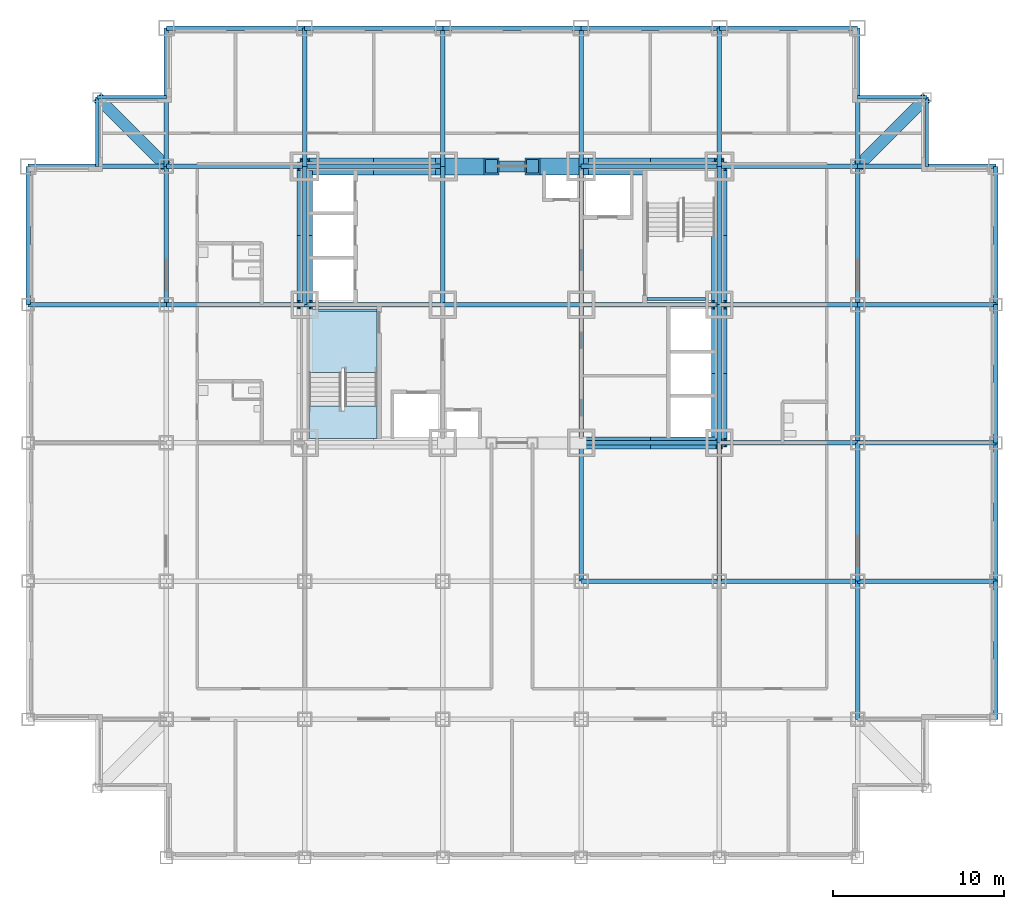
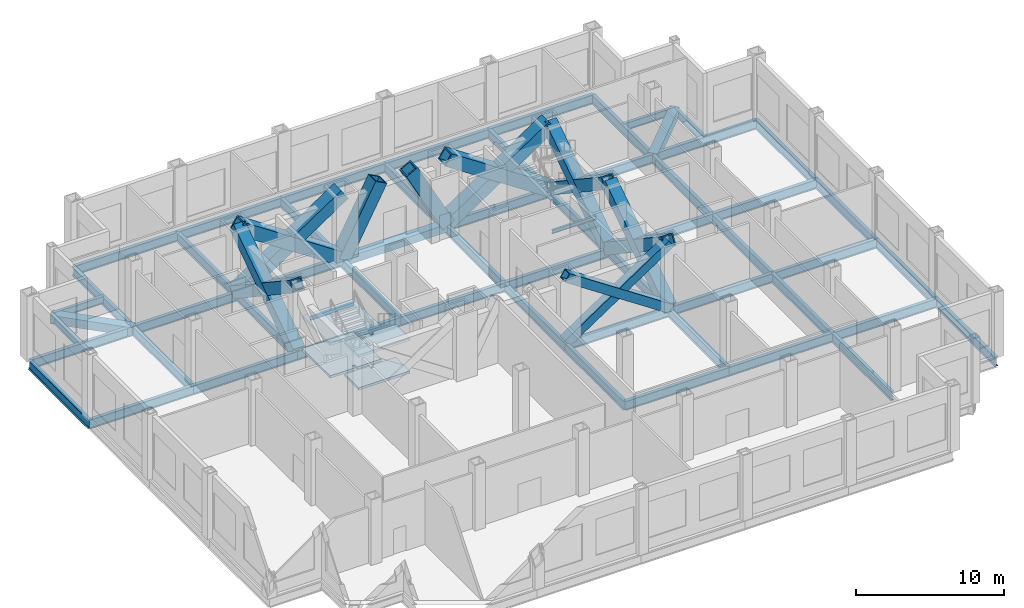
# One storey, part 2 of 10: 57 beams, 14 members, 4 slabs, 1 element without a shape of its own.
"""IFC4 building model written with IfcOpenShell, lengths in metres."""

from ifc_helpers import new_model, si_unit, direction, frame, origin, origin_2d, place, context, subcontext, project, spatial, polyline, hollow_rectangle, i_section, outline, extrude, material, layer, layer_set, material_profile, profile_set, type_object, element, aggregate, save


model = new_model("IFC4")

# Units and contexts
model_context = context("Model", 3, precision=1e-05, world=origin(), true_north=direction((0.0, 1.0)))
body_context = subcontext(model_context, "Body", "Model", "MODEL_VIEW")
ifc_project = project(units=[si_unit("LENGTHUNIT", "METRE"), si_unit("AREAUNIT", "SQUARE_METRE"), si_unit("VOLUMEUNIT", "CUBIC_METRE"), si_unit("PLANEANGLEUNIT", "RADIAN"), si_unit("MASSUNIT", "GRAM", prefix="KILO")], contexts=[model_context])

# Site, building, storey
site_placement = place(None, origin())
site = spatial("IfcSite", under=ifc_project, at=site_placement, CompositionType="ELEMENT")
building_placement = place(site_placement, origin())
building = spatial("IfcBuilding", under=site, at=building_placement, Name="Kopane Lantern Tower", CompositionType="ELEMENT")
storey_placement = place(building_placement, frame((0.0, 0.0, 27.60009765625)))
storey = spatial("IfcBuildingStorey", under=building, at=storey_placement, Name="L05", CompositionType="ELEMENT", Elevation=27.60009765625)

# Members
ifc_material_1 = material(Name="Steel S355JR", Category="steel")
ifc_material_profile_1 = material_profile(ifc_material_1, hollow_rectangle(XDim=1.0, YDim=1.0, WallThickness=0.10009765625, at=origin_2d()), Name="BOX 1000x1000x100")
ifc_profile_set_1 = profile_set([ifc_material_profile_1], Name="Steel S355JR")
member_type_1 = type_object("IfcMemberType", Name="BRACE BOX 1000x1000x100", PredefinedType="BRACE", material=ifc_profile_set_1)
for number, where, z_axis, x_axis, name in (
    (1, (16.199951171875, 40.5, -0.210205078125), (0.832046436124, 0.0, 0.554705983502), (0.0, 1.0, 0.0), "Core brace L05"),
    (2, (24.300048828125, 40.5, -0.210205078125), (-0.832046436124, 0.0, 0.554705983502), (0.0, -1.0, 0.0), "Core brace L05"),
):
    element("IfcMember", number, at=place(storey_placement, frame(where, z_axis=z_axis, x_axis=x_axis)), inside=storey, type_object=member_type_1, Name=name, PredefinedType="BRACE", context=body_context, shape_type="SweptSolid", body=[
        extrude(hollow_rectangle(XDim=1.0, YDim=1.0, WallThickness=0.10009765625, at=origin_2d()), origin(), (0.0, 0.0, 1.0), 9.735107421875),
    ])
for number, where, z_axis, x_axis, name in (
    (3, (24.300048828125, 40.5, -0.210205078125), (0.466729952651, 0.0, 0.884399882009), (0.0, 1.0, 0.0), "Core brace L05"),
    (4, (32.39990234375, 40.5, -0.210205078125), (-0.466729952651, 0.0, 0.884399882009), (0.0, -1.0, 0.0), "Core brace L05"),
):
    element("IfcMember", number, at=place(storey_placement, frame(where, z_axis=z_axis, x_axis=x_axis)), inside=storey, type_object=member_type_1, Name=name, PredefinedType="BRACE", context=body_context, shape_type="SweptSolid", body=[
        extrude(hollow_rectangle(XDim=1.0, YDim=1.0, WallThickness=0.10009765625, at=origin_2d()), origin(), (0.0, 0.0, 1.0), 6.10595703125),
    ])
for number, where, z_axis, x_axis, name in (
    (5, (32.39990234375, 40.5, -0.210205078125), (0.832046436124, 0.0, 0.554705983502), (0.0, 1.0, 0.0), "Core brace L05"),
    (6, (40.5, 40.5, -0.210205078125), (-0.832046436124, 0.0, 0.554705983502), (0.0, -1.0, 0.0), "Core brace L05"),
):
    element("IfcMember", number, at=place(storey_placement, frame(where, z_axis=z_axis, x_axis=x_axis)), inside=storey, type_object=member_type_1, Name=name, PredefinedType="BRACE", context=body_context, shape_type="SweptSolid", body=[
        extrude(hollow_rectangle(XDim=1.0, YDim=1.0, WallThickness=0.10009765625, at=origin_2d()), origin(), (0.0, 0.0, 1.0), 9.735107421875),
    ])
ifc_material_2 = material(Name="Steel S355JR", Category="steel")
ifc_material_profile_2 = material_profile(ifc_material_2, hollow_rectangle(XDim=0.699951171875, YDim=0.699951171875, WallThickness=0.06005859375, at=origin_2d()), Name="BOX 700x700x60")
ifc_profile_set_2 = profile_set([ifc_material_profile_2], Name="Steel S355JR")
member_type_2 = type_object("IfcMemberType", Name="BRACE BOX 700x700x60", PredefinedType="BRACE", material=ifc_profile_set_2)
for number, where, z_axis, x_axis, name in (
    (7, (32.39990234375, 24.300048828125, -0.210205078125), (0.832046436124, 0.0, 0.554705983502), (0.0, 1.0, 0.0), "Core brace L05"),
    (8, (40.5, 24.300048828125, -0.210205078125), (-0.832046436124, 0.0, 0.554705983502), (0.0, -1.0, 0.0), "Core brace L05"),
):
    element("IfcMember", number, at=place(storey_placement, frame(where, z_axis=z_axis, x_axis=x_axis)), inside=storey, type_object=member_type_2, Name=name, PredefinedType="BRACE", context=body_context, shape_type="SweptSolid", body=[
        extrude(hollow_rectangle(XDim=0.699951171875, YDim=0.699951171875, WallThickness=0.06005859375, at=origin_2d()), origin(), (0.0, 0.0, 1.0), 9.735107421875),
    ])
ifc_material_3 = material(Name="Steel S355JR", Category="steel")
ifc_material_profile_3 = material_profile(ifc_material_3, hollow_rectangle(XDim=0.89990234375, YDim=0.89990234375, WallThickness=0.090087890625, at=origin_2d()), Name="BOX 900x900x90")
ifc_profile_set_3 = profile_set([ifc_material_profile_3], Name="Steel S355JR")
member_type_3 = type_object("IfcMemberType", Name="BRACE BOX 900x900x90", PredefinedType="BRACE", material=ifc_profile_set_3)
for number, where, z_axis, x_axis, name in (
    (9, (16.199951171875, 32.39990234375, -0.210205078125), (0.0, 0.832046436124, 0.554705983502), (-1.0, 0.0, 0.0), "Core brace L05"),
    (10, (16.199951171875, 40.5, -0.210205078125), (0.0, -0.832046436124, 0.554705983502), (1.0, 0.0, 0.0), "Core brace L05"),
):
    element("IfcMember", number, at=place(storey_placement, frame(where, z_axis=z_axis, x_axis=x_axis)), inside=storey, type_object=member_type_3, Name=name, PredefinedType="BRACE", context=body_context, shape_type="SweptSolid", body=[
        extrude(hollow_rectangle(XDim=0.89990234375, YDim=0.89990234375, WallThickness=0.090087890625, at=origin_2d()), origin(), (0.0, 0.0, 1.0), 9.735107421875),
    ])
for number, where, z_axis, x_axis, name in (
    (11, (40.5, 24.300048828125, -0.210205078125), (0.0, 0.832038719335, 0.554717558338), (-1.0, 0.0, 0.0), "Core brace L05"),
    (12, (40.5, 32.39990234375, -0.210205078125), (0.0, -0.832038719335, 0.554717558338), (1.0, 0.0, 0.0), "Core brace L05"),
):
    element("IfcMember", number, at=place(storey_placement, frame(where, z_axis=z_axis, x_axis=x_axis)), inside=storey, type_object=member_type_3, Name=name, PredefinedType="BRACE", context=body_context, shape_type="SweptSolid", body=[
        extrude(hollow_rectangle(XDim=0.89990234375, YDim=0.89990234375, WallThickness=0.090087890625, at=origin_2d()), origin(), (0.0, 0.0, 1.0), 9.73486328125),
    ])
for number, where, z_axis, x_axis, name in (
    (13, (40.5, 32.39990234375, -0.210205078125), (0.0, 0.832046436124, 0.554705983502), (-1.0, 0.0, 0.0), "Core brace L05"),
    (14, (40.5, 40.5, -0.210205078125), (0.0, -0.832046436124, 0.554705983502), (1.0, 0.0, 0.0), "Core brace L05"),
):
    element("IfcMember", number, at=place(storey_placement, frame(where, z_axis=z_axis, x_axis=x_axis)), inside=storey, type_object=member_type_3, Name=name, PredefinedType="BRACE", context=body_context, shape_type="SweptSolid", body=[
        extrude(hollow_rectangle(XDim=0.89990234375, YDim=0.89990234375, WallThickness=0.090087890625, at=origin_2d()), origin(), (0.0, 0.0, 1.0), 9.735107421875),
    ])

# Beams
ifc_material_4 = material(Name="Steel S355JR", Category="steel")
ifc_material_profile_4 = material_profile(ifc_material_4, i_section(OverallWidth=0.2666015625, OverallDepth=0.76220703125, WebThickness=0.014404296875, FlangeThickness=0.021484375, FilletRadius=0.0166015625, at=origin_2d()), Name="UB 762x267x173")
ifc_profile_set_4 = profile_set([ifc_material_profile_4], Name="Steel S355JR")
beam_type_1 = type_object("IfcBeamType", Name="CORE BEAM UB 762x267x173", PredefinedType="BEAM", material=ifc_profile_set_4)
for number, where, z_axis, x_axis, name in (
    (15, (16.199951171875, 32.39990234375, -0.59130859375), (1.0, 0.0, 0.0), (0.0, 1.0, 0.0), "Core Beam L05"),
    (16, (24.300048828125, 32.39990234375, -0.59130859375), (0.0, 1.0, 0.0), (-1.0, 0.0, 0.0), "Core Beam L05"),
):
    element("IfcBeam", number, at=place(storey_placement, frame(where, z_axis=z_axis, x_axis=x_axis)), inside=storey, type_object=beam_type_1, Name=name, PredefinedType="BEAM", context=body_context, shape_type="SweptSolid", body=[
        extrude(i_section(OverallWidth=0.2666015625, OverallDepth=0.76220703125, WebThickness=0.014404296875, FlangeThickness=0.021484375, FilletRadius=0.0166015625, at=origin_2d()), origin(), (0.0, 0.0, 1.0), 8.10009765625),
    ])
for number, where, z_axis, x_axis, name in (
    (17, (24.300048828125, 32.39990234375, -0.59130859375), (1.0, 0.0, 0.0), (0.0, 1.0, 0.0), "Core Beam L05"),
    (18, (32.39990234375, 24.300048828125, -0.59130859375), (0.0, 1.0, 0.0), (-1.0, 0.0, 0.0), "Core Beam L05"),
):
    element("IfcBeam", number, at=place(storey_placement, frame(where, z_axis=z_axis, x_axis=x_axis)), inside=storey, type_object=beam_type_1, Name=name, PredefinedType="BEAM", context=body_context, shape_type="SweptSolid", body=[
        extrude(i_section(OverallWidth=0.2666015625, OverallDepth=0.76220703125, WebThickness=0.014404296875, FlangeThickness=0.021484375, FilletRadius=0.0166015625, at=origin_2d()), origin(), (0.0, 0.0, 1.0), 8.099853515625),
    ])
for number, where, z_axis, x_axis, name in (
    (19, (32.39990234375, 32.39990234375, -0.59130859375), (0.0, 1.0, 0.0), (-1.0, 0.0, 0.0), "Core Beam L05"),
    (20, (32.39990234375, 32.39990234375, -0.59130859375), (1.0, 0.0, 0.0), (0.0, 1.0, 0.0), "Core Beam L05"),
):
    element("IfcBeam", number, at=place(storey_placement, frame(where, z_axis=z_axis, x_axis=x_axis)), inside=storey, type_object=beam_type_1, Name=name, PredefinedType="BEAM", context=body_context, shape_type="SweptSolid", body=[
        extrude(i_section(OverallWidth=0.2666015625, OverallDepth=0.76220703125, WebThickness=0.014404296875, FlangeThickness=0.021484375, FilletRadius=0.0166015625, at=origin_2d()), origin(), (0.0, 0.0, 1.0), 8.10009765625),
    ])
ifc_material_5 = material(Name="Steel S355JR", Category="steel")
ifc_material_profile_5 = material_profile(ifc_material_5, hollow_rectangle(XDim=0.699951171875, YDim=0.699951171875, WallThickness=0.06005859375, at=origin_2d()), Name="BOX 700x700x60")
ifc_profile_set_5 = profile_set([ifc_material_profile_5], Name="Steel S355JR")
beam_type_2 = type_object("IfcBeamType", Name="CORNER TIE BEAM BOX 700x700x60", PredefinedType="BEAM", material=ifc_profile_set_5)
for number, where, z_axis, x_axis, name in (
    (21, (4.050048828125, 44.550048828125, -0.56005859375), (0.707106781187, -0.707106781187, 0.0), (0.707106781187, 0.707106781187, 0.0), "Corner Tie Beam L05"),
    (22, (52.64990234375, 44.550048828125, -0.56005859375), (-0.707085467703, -0.707128094028, 0.0), (0.707128094028, -0.707085467703, 0.0), "Corner Tie Beam L05"),
):
    element("IfcBeam", number, at=place(storey_placement, frame(where, z_axis=z_axis, x_axis=x_axis)), inside=storey, type_object=beam_type_2, Name=name, PredefinedType="BEAM", context=body_context, shape_type="SweptSolid", body=[
        extrude(hollow_rectangle(XDim=0.699951171875, YDim=0.699951171875, WallThickness=0.06005859375, at=origin_2d()), origin(), (0.0, 0.0, 1.0), 5.7275390625),
    ])
ifc_material_6 = material(Name="Steel S355JR", Category="steel")
ifc_material_profile_6 = material_profile(ifc_material_6, i_section(OverallWidth=0.22900390625, OverallDepth=0.6123046875, WebThickness=0.011962890625, FlangeThickness=0.01953125, FilletRadius=0.0126953125, at=origin_2d()), Name="UB 610x229x125")
ifc_profile_set_6 = profile_set([ifc_material_profile_6], Name="Steel S355JR")
beam_type_3 = type_object("IfcBeamType", Name="EDGE BEAM UB 610x229x125", PredefinedType="BEAM", material=ifc_profile_set_6)
for number, where, z_axis, x_axis, name in (
    (23, (4.050048828125, 44.550048828125, -0.51611328125), (0.0, -1.0, 0.0), (1.0, 0.0, 0.0), "Edge Beam L05"),
    (24, (4.050048828125, 44.550048828125, -0.51611328125), (1.0, 0.0, 0.0), (0.0, 1.0, 0.0), "Edge Beam L05"),
):
    element("IfcBeam", number, at=place(storey_placement, frame(where, z_axis=z_axis, x_axis=x_axis)), inside=storey, type_object=beam_type_3, Name=name, PredefinedType="BEAM", context=body_context, shape_type="SweptSolid", body=[
        extrude(i_section(OverallWidth=0.22900390625, OverallDepth=0.6123046875, WebThickness=0.011962890625, FlangeThickness=0.01953125, FilletRadius=0.0126953125, at=origin_2d()), origin(), (0.0, 0.0, 1.0), 4.050048828125),
    ])
beam_1_placement = place(storey_placement, frame((52.64990234375, 44.550048828125, -0.51611328125), z_axis=(-1.0, 0.0, 0.0), x_axis=(0.0, -1.0, 0.0)))
element("IfcBeam", 25, at=beam_1_placement, inside=storey, type_object=beam_type_3, Name="Edge Beam L05", PredefinedType="BEAM", context=body_context, shape_type="SweptSolid", body=[
    extrude(i_section(OverallWidth=0.22900390625, OverallDepth=0.6123046875, WebThickness=0.011962890625, FlangeThickness=0.01953125, FilletRadius=0.0126953125, at=origin_2d()), origin(), (0.0, 0.0, 1.0), 4.0498046875),
])
beam_2_placement = place(storey_placement, frame((52.64990234375, 44.550048828125, -0.51611328125), z_axis=(0.0, -1.0, 0.0), x_axis=(1.0, 0.0, 0.0)))
element("IfcBeam", 26, at=beam_2_placement, inside=storey, type_object=beam_type_3, Name="Edge Beam L05", PredefinedType="BEAM", context=body_context, shape_type="SweptSolid", body=[
    extrude(i_section(OverallWidth=0.22900390625, OverallDepth=0.6123046875, WebThickness=0.011962890625, FlangeThickness=0.01953125, FilletRadius=0.0126953125, at=origin_2d()), origin(), (0.0, 0.0, 1.0), 4.050048828125),
])
ifc_material_7 = material(Name="Steel S355JR", Category="steel")
ifc_material_profile_7 = material_profile(ifc_material_7, i_section(OverallWidth=0.2666015625, OverallDepth=0.76220703125, WebThickness=0.014404296875, FlangeThickness=0.021484375, FilletRadius=0.0166015625, at=origin_2d()), Name="UB 762x267x173")
ifc_profile_set_7 = profile_set([ifc_material_profile_7], Name="Steel S355JR")
beam_type_4 = type_object("IfcBeamType", Name="GIRDER UB 762x267x173", PredefinedType="BEAM", material=ifc_profile_set_7)
for number, where, z_axis, x_axis, name in (
    (27, (0.0, 32.39990234375, -0.59130859375), (0.0, 1.0, 0.0), (-1.0, 0.0, 0.0), "Girder L05"),
    (28, (0.0, 32.39990234375, -0.59130859375), (1.0, 0.0, 0.0), (0.0, 1.0, 0.0), "Girder L05"),
    (29, (0.0, 40.5, -0.59130859375), (1.0, 0.0, 0.0), (0.0, 1.0, 0.0), "Girder L05"),
    (30, (8.10009765625, 32.39990234375, -0.59130859375), (0.0, 1.0, 0.0), (-1.0, 0.0, 0.0), "Girder L05"),
):
    element("IfcBeam", number, at=place(storey_placement, frame(where, z_axis=z_axis, x_axis=x_axis)), inside=storey, type_object=beam_type_4, Name=name, PredefinedType="BEAM", context=body_context, shape_type="SweptSolid", body=[
        extrude(i_section(OverallWidth=0.2666015625, OverallDepth=0.76220703125, WebThickness=0.014404296875, FlangeThickness=0.021484375, FilletRadius=0.0166015625, at=origin_2d()), origin(), (0.0, 0.0, 1.0), 8.10009765625),
    ])
beam_3_placement = place(storey_placement, frame((8.10009765625, 32.39990234375, -0.59130859375), z_axis=(1.0, 0.0, 0.0), x_axis=(0.0, 1.0, 0.0)))
element("IfcBeam", 31, at=beam_3_placement, inside=storey, type_object=beam_type_4, Name="Girder L05", PredefinedType="BEAM", context=body_context, shape_type="SweptSolid", body=[
    extrude(i_section(OverallWidth=0.2666015625, OverallDepth=0.76220703125, WebThickness=0.014404296875, FlangeThickness=0.021484375, FilletRadius=0.0166015625, at=origin_2d()), origin(), (0.0, 0.0, 1.0), 8.099853515625),
])
beam_4_placement = place(storey_placement, frame((8.10009765625, 40.5, -0.59130859375), z_axis=(0.0, 1.0, 0.0), x_axis=(-1.0, 0.0, 0.0)))
element("IfcBeam", 32, at=beam_4_placement, inside=storey, type_object=beam_type_4, Name="Girder L05", PredefinedType="BEAM", context=body_context, shape_type="SweptSolid", body=[
    extrude(i_section(OverallWidth=0.2666015625, OverallDepth=0.76220703125, WebThickness=0.014404296875, FlangeThickness=0.021484375, FilletRadius=0.0166015625, at=origin_2d()), origin(), (0.0, 0.0, 1.0), 8.10009765625),
])
for number, where, z_axis, x_axis, name in (
    (33, (8.10009765625, 40.5, -0.59130859375), (1.0, 0.0, 0.0), (0.0, 1.0, 0.0), "Girder L05"),
    (34, (8.10009765625, 48.60009765625, -0.59130859375), (1.0, 0.0, 0.0), (0.0, 1.0, 0.0), "Girder L05"),
):
    element("IfcBeam", number, at=place(storey_placement, frame(where, z_axis=z_axis, x_axis=x_axis)), inside=storey, type_object=beam_type_4, Name=name, PredefinedType="BEAM", context=body_context, shape_type="SweptSolid", body=[
        extrude(i_section(OverallWidth=0.2666015625, OverallDepth=0.76220703125, WebThickness=0.014404296875, FlangeThickness=0.021484375, FilletRadius=0.0166015625, at=origin_2d()), origin(), (0.0, 0.0, 1.0), 8.099853515625),
    ])
for number, where, z_axis, x_axis, name in (
    (35, (16.199951171875, 32.39990234375, -0.59130859375), (0.0, 1.0, 0.0), (-1.0, 0.0, 0.0), "Girder L05"),
    (36, (16.199951171875, 40.5, -0.59130859375), (0.0, 1.0, 0.0), (-1.0, 0.0, 0.0), "Girder L05"),
    (37, (16.199951171875, 40.5, -0.59130859375), (1.0, 0.0, 0.0), (0.0, 1.0, 0.0), "Girder L05"),
    (38, (16.199951171875, 48.60009765625, -0.59130859375), (1.0, 0.0, 0.0), (0.0, 1.0, 0.0), "Girder L05"),
    (39, (24.300048828125, 40.5, -0.59130859375), (0.0, 1.0, 0.0), (-1.0, 0.0, 0.0), "Girder L05"),
):
    element("IfcBeam", number, at=place(storey_placement, frame(where, z_axis=z_axis, x_axis=x_axis)), inside=storey, type_object=beam_type_4, Name=name, PredefinedType="BEAM", context=body_context, shape_type="SweptSolid", body=[
        extrude(i_section(OverallWidth=0.2666015625, OverallDepth=0.76220703125, WebThickness=0.014404296875, FlangeThickness=0.021484375, FilletRadius=0.0166015625, at=origin_2d()), origin(), (0.0, 0.0, 1.0), 8.10009765625),
    ])
beam_5_placement = place(storey_placement, frame((24.300048828125, 48.60009765625, -0.59130859375), z_axis=(1.0, 0.0, 0.0), x_axis=(0.0, 1.0, 0.0)))
element("IfcBeam", 40, at=beam_5_placement, inside=storey, type_object=beam_type_4, Name="Girder L05", PredefinedType="BEAM", context=body_context, shape_type="SweptSolid", body=[
    extrude(i_section(OverallWidth=0.2666015625, OverallDepth=0.76220703125, WebThickness=0.014404296875, FlangeThickness=0.021484375, FilletRadius=0.0166015625, at=origin_2d()), origin(), (0.0, 0.0, 1.0), 8.099853515625),
])
for number, where, z_axis, x_axis, name in (
    (41, (32.39990234375, 16.199951171875, -0.59130859375), (0.0, 1.0, 0.0), (-1.0, 0.0, 0.0), "Girder L05"),
    (42, (32.39990234375, 16.199951171875, -0.59130859375), (1.0, 0.0, 0.0), (0.0, 1.0, 0.0), "Girder L05"),
    (43, (32.39990234375, 24.300048828125, -0.59130859375), (1.0, 0.0, 0.0), (0.0, 1.0, 0.0), "Girder L05"),
    (44, (32.39990234375, 40.5, -0.59130859375), (0.0, 1.0, 0.0), (-1.0, 0.0, 0.0), "Girder L05"),
    (45, (32.39990234375, 40.5, -0.59130859375), (1.0, 0.0, 0.0), (0.0, 1.0, 0.0), "Girder L05"),
    (46, (32.39990234375, 48.60009765625, -0.59130859375), (1.0, 0.0, 0.0), (0.0, 1.0, 0.0), "Girder L05"),
    (47, (40.5, 16.199951171875, -0.59130859375), (0.0, 1.0, 0.0), (-1.0, 0.0, 0.0), "Girder L05"),
    (48, (40.5, 16.199951171875, -0.59130859375), (1.0, 0.0, 0.0), (0.0, 1.0, 0.0), "Girder L05"),
):
    element("IfcBeam", number, at=place(storey_placement, frame(where, z_axis=z_axis, x_axis=x_axis)), inside=storey, type_object=beam_type_4, Name=name, PredefinedType="BEAM", context=body_context, shape_type="SweptSolid", body=[
        extrude(i_section(OverallWidth=0.2666015625, OverallDepth=0.76220703125, WebThickness=0.014404296875, FlangeThickness=0.021484375, FilletRadius=0.0166015625, at=origin_2d()), origin(), (0.0, 0.0, 1.0), 8.10009765625),
    ])
beam_6_placement = place(storey_placement, frame((40.5, 24.300048828125, -0.59130859375), z_axis=(0.0, 1.0, 0.0), x_axis=(-1.0, 0.0, 0.0)))
element("IfcBeam", 49, at=beam_6_placement, inside=storey, type_object=beam_type_4, Name="Girder L05", PredefinedType="BEAM", context=body_context, shape_type="SweptSolid", body=[
    extrude(i_section(OverallWidth=0.2666015625, OverallDepth=0.76220703125, WebThickness=0.014404296875, FlangeThickness=0.021484375, FilletRadius=0.0166015625, at=origin_2d()), origin(), (0.0, 0.0, 1.0), 8.099853515625),
])
for number, where, z_axis, x_axis, name in (
    (50, (40.5, 24.300048828125, -0.59130859375), (1.0, 0.0, 0.0), (0.0, 1.0, 0.0), "Girder L05"),
    (51, (40.5, 32.39990234375, -0.59130859375), (0.0, 1.0, 0.0), (-1.0, 0.0, 0.0), "Girder L05"),
    (52, (40.5, 32.39990234375, -0.59130859375), (1.0, 0.0, 0.0), (0.0, 1.0, 0.0), "Girder L05"),
    (53, (40.5, 40.5, -0.59130859375), (0.0, 1.0, 0.0), (-1.0, 0.0, 0.0), "Girder L05"),
    (54, (40.5, 40.5, -0.59130859375), (1.0, 0.0, 0.0), (0.0, 1.0, 0.0), "Girder L05"),
    (55, (40.5, 48.60009765625, -0.59130859375), (1.0, 0.0, 0.0), (0.0, 1.0, 0.0), "Girder L05"),
):
    element("IfcBeam", number, at=place(storey_placement, frame(where, z_axis=z_axis, x_axis=x_axis)), inside=storey, type_object=beam_type_4, Name=name, PredefinedType="BEAM", context=body_context, shape_type="SweptSolid", body=[
        extrude(i_section(OverallWidth=0.2666015625, OverallDepth=0.76220703125, WebThickness=0.014404296875, FlangeThickness=0.021484375, FilletRadius=0.0166015625, at=origin_2d()), origin(), (0.0, 0.0, 1.0), 8.10009765625),
    ])
beam_7_placement = place(storey_placement, frame((48.60009765625, 8.10009765625, -0.59130859375), z_axis=(0.0, 1.0, 0.0), x_axis=(-1.0, 0.0, 0.0)))
element("IfcBeam", 56, at=beam_7_placement, inside=storey, type_object=beam_type_4, Name="Girder L05", PredefinedType="BEAM", context=body_context, shape_type="SweptSolid", body=[
    extrude(i_section(OverallWidth=0.2666015625, OverallDepth=0.76220703125, WebThickness=0.014404296875, FlangeThickness=0.021484375, FilletRadius=0.0166015625, at=origin_2d()), origin(), (0.0, 0.0, 1.0), 8.099853515625),
])
beam_8_placement = place(storey_placement, frame((48.60009765625, 16.199951171875, -0.59130859375), z_axis=(0.0, 1.0, 0.0), x_axis=(-1.0, 0.0, 0.0)))
element("IfcBeam", 57, at=beam_8_placement, inside=storey, type_object=beam_type_4, Name="Girder L05", PredefinedType="BEAM", context=body_context, shape_type="SweptSolid", body=[
    extrude(i_section(OverallWidth=0.2666015625, OverallDepth=0.76220703125, WebThickness=0.014404296875, FlangeThickness=0.021484375, FilletRadius=0.0166015625, at=origin_2d()), origin(), (0.0, 0.0, 1.0), 8.10009765625),
])
for number, where, z_axis, x_axis, name in (
    (58, (48.60009765625, 16.199951171875, -0.59130859375), (1.0, 0.0, 0.0), (0.0, 1.0, 0.0), "Girder L05"),
    (59, (48.60009765625, 24.300048828125, -0.59130859375), (0.0, 1.0, 0.0), (-1.0, 0.0, 0.0), "Girder L05"),
    (60, (48.60009765625, 24.300048828125, -0.59130859375), (1.0, 0.0, 0.0), (0.0, 1.0, 0.0), "Girder L05"),
):
    element("IfcBeam", number, at=place(storey_placement, frame(where, z_axis=z_axis, x_axis=x_axis)), inside=storey, type_object=beam_type_4, Name=name, PredefinedType="BEAM", context=body_context, shape_type="SweptSolid", body=[
        extrude(i_section(OverallWidth=0.2666015625, OverallDepth=0.76220703125, WebThickness=0.014404296875, FlangeThickness=0.021484375, FilletRadius=0.0166015625, at=origin_2d()), origin(), (0.0, 0.0, 1.0), 8.099853515625),
    ])
beam_9_placement = place(storey_placement, frame((48.60009765625, 32.39990234375, -0.59130859375), z_axis=(0.0, 1.0, 0.0), x_axis=(-1.0, 0.0, 0.0)))
element("IfcBeam", 61, at=beam_9_placement, inside=storey, type_object=beam_type_4, Name="Girder L05", PredefinedType="BEAM", context=body_context, shape_type="SweptSolid", body=[
    extrude(i_section(OverallWidth=0.2666015625, OverallDepth=0.76220703125, WebThickness=0.014404296875, FlangeThickness=0.021484375, FilletRadius=0.0166015625, at=origin_2d()), origin(), (0.0, 0.0, 1.0), 8.10009765625),
])
beam_10_placement = place(storey_placement, frame((48.60009765625, 32.39990234375, -0.59130859375), z_axis=(1.0, 0.0, 0.0), x_axis=(0.0, 1.0, 0.0)))
element("IfcBeam", 62, at=beam_10_placement, inside=storey, type_object=beam_type_4, Name="Girder L05", PredefinedType="BEAM", context=body_context, shape_type="SweptSolid", body=[
    extrude(i_section(OverallWidth=0.2666015625, OverallDepth=0.76220703125, WebThickness=0.014404296875, FlangeThickness=0.021484375, FilletRadius=0.0166015625, at=origin_2d()), origin(), (0.0, 0.0, 1.0), 8.099853515625),
])
beam_11_placement = place(storey_placement, frame((48.60009765625, 40.5, -0.59130859375), z_axis=(0.0, 1.0, 0.0), x_axis=(-1.0, 0.0, 0.0)))
element("IfcBeam", 63, at=beam_11_placement, inside=storey, type_object=beam_type_4, Name="Girder L05", PredefinedType="BEAM", context=body_context, shape_type="SweptSolid", body=[
    extrude(i_section(OverallWidth=0.2666015625, OverallDepth=0.76220703125, WebThickness=0.014404296875, FlangeThickness=0.021484375, FilletRadius=0.0166015625, at=origin_2d()), origin(), (0.0, 0.0, 1.0), 8.10009765625),
])
for number, where, z_axis, x_axis, name in (
    (64, (48.60009765625, 40.5, -0.59130859375), (1.0, 0.0, 0.0), (0.0, 1.0, 0.0), "Girder L05"),
    (65, (56.699951171875, 8.10009765625, -0.59130859375), (0.0, 1.0, 0.0), (-1.0, 0.0, 0.0), "Girder L05"),
):
    element("IfcBeam", number, at=place(storey_placement, frame(where, z_axis=z_axis, x_axis=x_axis)), inside=storey, type_object=beam_type_4, Name=name, PredefinedType="BEAM", context=body_context, shape_type="SweptSolid", body=[
        extrude(i_section(OverallWidth=0.2666015625, OverallDepth=0.76220703125, WebThickness=0.014404296875, FlangeThickness=0.021484375, FilletRadius=0.0166015625, at=origin_2d()), origin(), (0.0, 0.0, 1.0), 8.099853515625),
    ])
beam_12_placement = place(storey_placement, frame((56.699951171875, 16.199951171875, -0.59130859375), z_axis=(0.0, 1.0, 0.0), x_axis=(-1.0, 0.0, 0.0)))
element("IfcBeam", 66, at=beam_12_placement, inside=storey, type_object=beam_type_4, Name="Girder L05", PredefinedType="BEAM", context=body_context, shape_type="SweptSolid", body=[
    extrude(i_section(OverallWidth=0.2666015625, OverallDepth=0.76220703125, WebThickness=0.014404296875, FlangeThickness=0.021484375, FilletRadius=0.0166015625, at=origin_2d()), origin(), (0.0, 0.0, 1.0), 8.10009765625),
])
beam_13_placement = place(storey_placement, frame((56.699951171875, 24.300048828125, -0.59130859375), z_axis=(0.0, 1.0, 0.0), x_axis=(-1.0, 0.0, 0.0)))
element("IfcBeam", 67, at=beam_13_placement, inside=storey, type_object=beam_type_4, Name="Girder L05", PredefinedType="BEAM", context=body_context, shape_type="SweptSolid", body=[
    extrude(i_section(OverallWidth=0.2666015625, OverallDepth=0.76220703125, WebThickness=0.014404296875, FlangeThickness=0.021484375, FilletRadius=0.0166015625, at=origin_2d()), origin(), (0.0, 0.0, 1.0), 8.099853515625),
])
beam_14_placement = place(storey_placement, frame((56.699951171875, 32.39990234375, -0.59130859375), z_axis=(0.0, 1.0, 0.0), x_axis=(-1.0, 0.0, 0.0)))
element("IfcBeam", 68, at=beam_14_placement, inside=storey, type_object=beam_type_4, Name="Girder L05", PredefinedType="BEAM", context=body_context, shape_type="SweptSolid", body=[
    extrude(i_section(OverallWidth=0.2666015625, OverallDepth=0.76220703125, WebThickness=0.014404296875, FlangeThickness=0.021484375, FilletRadius=0.0166015625, at=origin_2d()), origin(), (0.0, 0.0, 1.0), 8.10009765625),
])
ifc_material_8 = material(Name="Steel S355JR", Category="steel")
ifc_material_profile_8 = material_profile(ifc_material_8, hollow_rectangle(XDim=0.64990234375, YDim=0.64990234375, WallThickness=0.070068359375, at=origin_2d()), Name="BOX 650x650x70")
ifc_profile_set_8 = profile_set([ifc_material_profile_8], Name="Steel S355JR")
beam_type_5 = type_object("IfcBeamType", Name="LINK BEAM BOX 650x650x70", PredefinedType="BEAM", material=ifc_profile_set_8)
beam_15_placement = place(storey_placement, frame((24.300048828125, 40.5, -0.53515625), z_axis=(1.0, 0.0, 0.0), x_axis=(0.0, 1.0, 0.0)))
element("IfcBeam", 69, at=beam_15_placement, inside=storey, type_object=beam_type_5, Name="Link Beam L05", PredefinedType="BEAM", context=body_context, shape_type="SweptSolid", body=[
    extrude(hollow_rectangle(XDim=0.64990234375, YDim=0.64990234375, WallThickness=0.070068359375, at=origin_2d()), origin(), (0.0, 0.0, 1.0), 8.099853515625),
])
ifc_material_9 = material(Name="Steel S355JR", Category="steel")
ifc_material_profile_9 = material_profile(ifc_material_9, i_section(OverallWidth=0.1650390625, OverallDepth=0.303466796875, WebThickness=0.006103515625, FlangeThickness=0.01025390625, FilletRadius=0.0087890625, at=origin_2d()), Name="UB 305x165x40")
ifc_profile_set_9 = profile_set([ifc_material_profile_9], Name="Steel S355JR")
beam_type_6 = type_object("IfcBeamType", Name="STAIR LANDING BEAM UB 305x165x40", PredefinedType="BEAM", material=ifc_profile_set_9)
for number, where, z_axis, x_axis, name in (
    (70, (17.0, 32.0673828125, 2.34814453125), (1.0, 0.0, 0.0), (0.0, 1.0, 0.0), "Stair landing beam ST1 L05"),
    (71, (39.699951171875, 32.732421875, 2.34814453125), (-1.0, 0.0, 0.0), (0.0, -1.0, 0.0), "Stair landing beam ST2 L05"),
):
    element("IfcBeam", number, at=place(storey_placement, frame(where, z_axis=z_axis, x_axis=x_axis)), inside=storey, type_object=beam_type_6, Name=name, PredefinedType="BEAM", context=body_context, shape_type="SweptSolid", body=[
        extrude(i_section(OverallWidth=0.1650390625, OverallDepth=0.303466796875, WebThickness=0.006103515625, FlangeThickness=0.01025390625, FilletRadius=0.0087890625, at=origin_2d()), origin(), (0.0, 0.0, 1.0), 3.449951171875),
    ])

# Stair, slabs
ifc_material_10 = material(Name="Steel S355JR", Category="steel")
stair_type = type_object("IfcStairType", Name="EXIT STAIR 1900 HALF TURN", PredefinedType="HALF_TURN_STAIR", material=ifc_material_10)
stair_placement = place(storey_placement, origin())
stair = element("IfcStair", 72, at=stair_placement, inside=storey, type_object=stair_type, Name="Exit stair ST1 L05", PredefinedType="HALF_TURN_STAIR")
ifc_material_11 = material(Name="Concrete C40/50", Category="concrete")
ifc_layer = layer(ifc_material_11, 0.199951171875)
ifc_layer_set = layer_set([ifc_layer], Name="STAIR LANDING 200")
slab_type = type_object("IfcSlabType", Name="STAIR LANDING 200", PredefinedType="LANDING", material=ifc_layer_set)
slab_1_placement = place(storey_placement, frame((0.0, 0.0, -0.2001953125)))
slab_1 = element("IfcSlab", 73, at=slab_1_placement, type_object=slab_type, Name="ST1 landing 1", PredefinedType="LANDING", context=body_context, shape_type="SweptSolid", body=[
    extrude(outline(polyline([(18.35009765625, 28.68994140625), (18.550048828125, 28.68994140625), (18.550048828125, 28.409912109375), (20.449951171875, 28.409912109375), (20.449951171875, 32.14990234375), (16.449951171875, 32.14990234375), (16.449951171875, 28.409912109375), (18.35009765625, 28.409912109375), (18.35009765625, 28.68994140625)])), origin(), (0.0, 0.0, 1.0), 0.2001953125),
])
slab_2_placement = place(storey_placement, frame((0.0, 0.0, 1.14990234375)))
slab_2 = element("IfcSlab", 74, at=slab_2_placement, type_object=slab_type, Name="ST1 landing 2", PredefinedType="LANDING", context=body_context, shape_type="SweptSolid", body=[
    extrude(outline(polyline([(20.449951171875, 26.449951171875), (18.550048828125, 26.449951171875), (18.550048828125, 26.169921875), (18.35009765625, 26.169921875), (18.35009765625, 26.449951171875), (16.449951171875, 26.449951171875), (16.449951171875, 24.550048828125), (20.449951171875, 24.550048828125), (20.449951171875, 26.449951171875)])), origin(), (0.0, 0.0, 1.0), 0.199951171875),
])
slab_3_placement = place(storey_placement, frame((0.0, 0.0, 2.5)))
slab_3 = element("IfcSlab", 75, at=slab_3_placement, type_object=slab_type, Name="ST1 landing 3", PredefinedType="LANDING", context=body_context, shape_type="SweptSolid", body=[
    extrude(outline(polyline([(18.35009765625, 28.68994140625), (18.550048828125, 28.68994140625), (18.550048828125, 28.409912109375), (20.449951171875, 28.409912109375), (20.449951171875, 32.14990234375), (16.449951171875, 32.14990234375), (16.449951171875, 28.409912109375), (18.35009765625, 28.409912109375), (18.35009765625, 28.68994140625)])), origin(), (0.0, 0.0, 1.0), 0.199951171875),
])
slab_4_placement = place(storey_placement, frame((0.0, 0.0, 3.849853515625)))
slab_4 = element("IfcSlab", 76, at=slab_4_placement, type_object=slab_type, Name="ST1 landing 4", PredefinedType="LANDING", context=body_context, shape_type="SweptSolid", body=[
    extrude(outline(polyline([(20.449951171875, 26.449951171875), (18.550048828125, 26.449951171875), (18.550048828125, 26.169921875), (18.35009765625, 26.169921875), (18.35009765625, 26.449951171875), (16.449951171875, 26.449951171875), (16.449951171875, 24.550048828125), (20.449951171875, 24.550048828125), (20.449951171875, 26.449951171875)])), origin(), (0.0, 0.0, 1.0), 0.199951171875),
])
aggregate(stair, [slab_1, slab_2, slab_3, slab_4])

save(model, "model.ifc")
